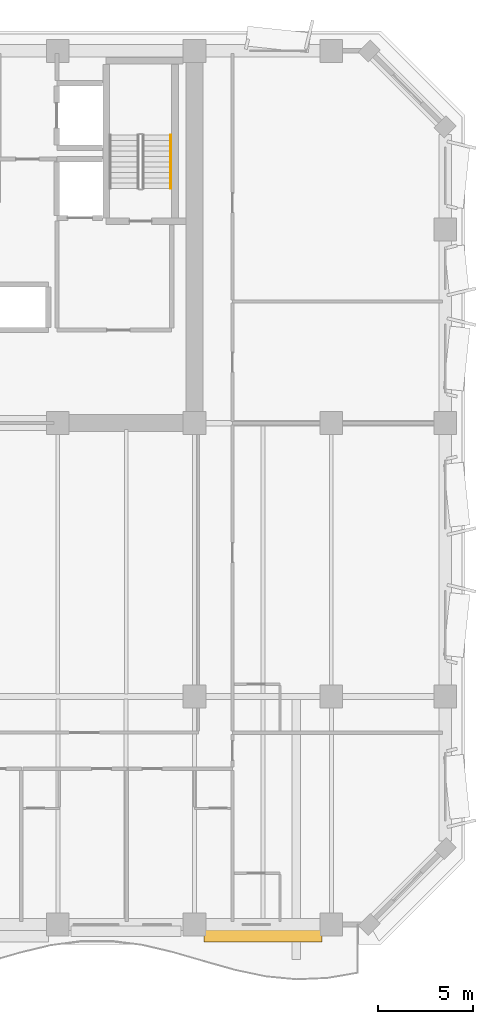
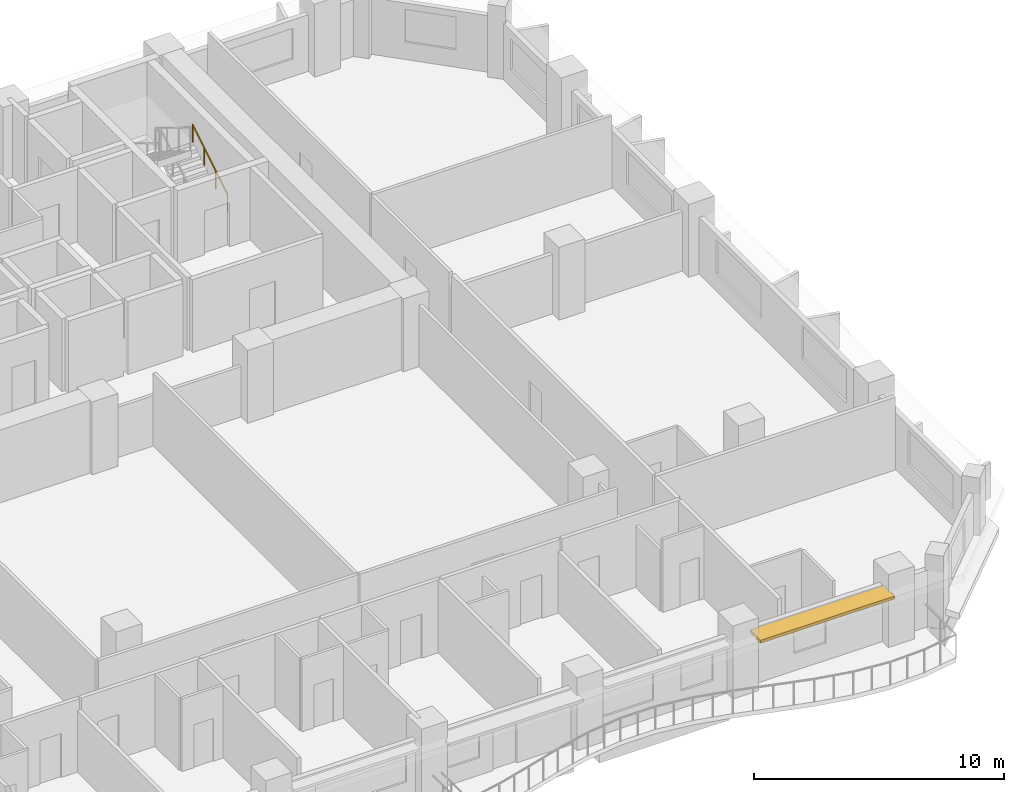
# One storey, part 15 of 15: 1 railing, 1 shading device.
"""IFC4 building model written with IfcOpenShell, lengths in metres."""

from ifc_helpers import new_model, si_unit, direction, frame, origin, origin_2d, place, context, subcontext, project, spatial, rectangle, extrude, material, layer, layer_set, type_object, element, save


model = new_model("IFC4")

# Units and contexts
model_context = context("Model", 3, precision=1e-05, world=origin(), true_north=direction((0.0, 1.0)))
body_context = subcontext(model_context, "Body", "Model", "MODEL_VIEW")
ifc_project = project(units=[si_unit("LENGTHUNIT", "METRE"), si_unit("AREAUNIT", "SQUARE_METRE"), si_unit("VOLUMEUNIT", "CUBIC_METRE"), si_unit("PLANEANGLEUNIT", "RADIAN"), si_unit("MASSUNIT", "GRAM", prefix="KILO")], contexts=[model_context])

# Site, building, storey
site_placement = place(None, origin())
site = spatial("IfcSite", under=ifc_project, at=site_placement, CompositionType="ELEMENT")
building_placement = place(site_placement, origin())
building = spatial("IfcBuilding", under=site, at=building_placement, Name="Kaelvorn Grand Hotel", CompositionType="ELEMENT")
storey_placement = place(building_placement, frame((0.0, 0.0, 139.14990234375)))
storey = spatial("IfcBuildingStorey", under=building, at=storey_placement, Name="L33", CompositionType="ELEMENT", Elevation=139.14990234375)

# Railing
ifc_material_1 = material(Name="Stainless Steel", Category="steel")
railing_type = type_object("IfcRailingType", Name="RL-HANDRAIL-900", PredefinedType="HANDRAIL", material=ifc_material_1)
railing_placement = place(storey_placement, frame((66.550048828125, 41.760009765625, 0.1728515625)))
element("IfcRailing", 1, at=railing_placement, inside=storey, type_object=railing_type, Name="L33 ST3 stair handrail 1", PredefinedType="HANDRAIL", context=body_context, shape_type="SweptSolid", body=[
    extrude(rectangle(XDim=0.048095703125, YDim=0.048095703125, at=origin_2d()), frame((0.0, 0.0, 0.8759765625), z_axis=(0.0, 0.851089632645, 0.525020415988), x_axis=(-1.0, 0.0, 0.0)), (0.0, 0.0, 1.0), 3.2900390625),
    extrude(rectangle(XDim=0.0419921875, YDim=0.0419921875, at=origin_2d()), origin(), (0.0, 0.0, 1.0), 0.851806640625),
    extrude(rectangle(XDim=0.0419921875, YDim=0.0419921875, at=origin_2d()), frame((0.0, 0.933349609375, 0.57568359375)), (0.0, 0.0, 1.0), 0.851806640625),
    extrude(rectangle(XDim=0.0419921875, YDim=0.0419921875, at=origin_2d()), frame((0.0, 1.86669921875, 1.151611328125)), (0.0, 0.0, 1.0), 0.851806640625),
    extrude(rectangle(XDim=0.0419921875, YDim=0.0419921875, at=origin_2d()), frame((0.0, 2.800048828125, 1.727294921875)), (0.0, 0.0, 1.0), 0.851806640625),
])

# Shading device
ifc_material_2 = material(Name="Precast concrete C45/55", Category="concrete")
ifc_layer = layer(ifc_material_2, 0.139892578125)
ifc_layer_set = layer_set([ifc_layer], Name="Precast concrete C45/55")
shading_device_type = type_object("IfcShadingDeviceType", Name="SHD-SUNSHADE-850", PredefinedType="USERDEFINED", material=ifc_layer_set)
shading_device_placement = place(storey_placement, frame((71.39990234375, 2.4951171875, 2.55029296875), z_axis=(0.0, 0.0, 1.0), x_axis=(1.0, 0.0, 0.0)))
element("IfcShadingDevice", 2, at=shading_device_placement, inside=storey, type_object=shading_device_type, Name="L33 Horizontal Concrete Sunshade Band SS-10", ObjectType="SUNSHADE", PredefinedType="USERDEFINED", context=body_context, shape_type="SweptSolid", body=[
    extrude(rectangle(XDim=6.199951171875, YDim=0.85009765625, at=origin_2d()), origin(), (0.0, 0.0, 1.0), 0.139892578125),
])

save(model, "model.ifc")
